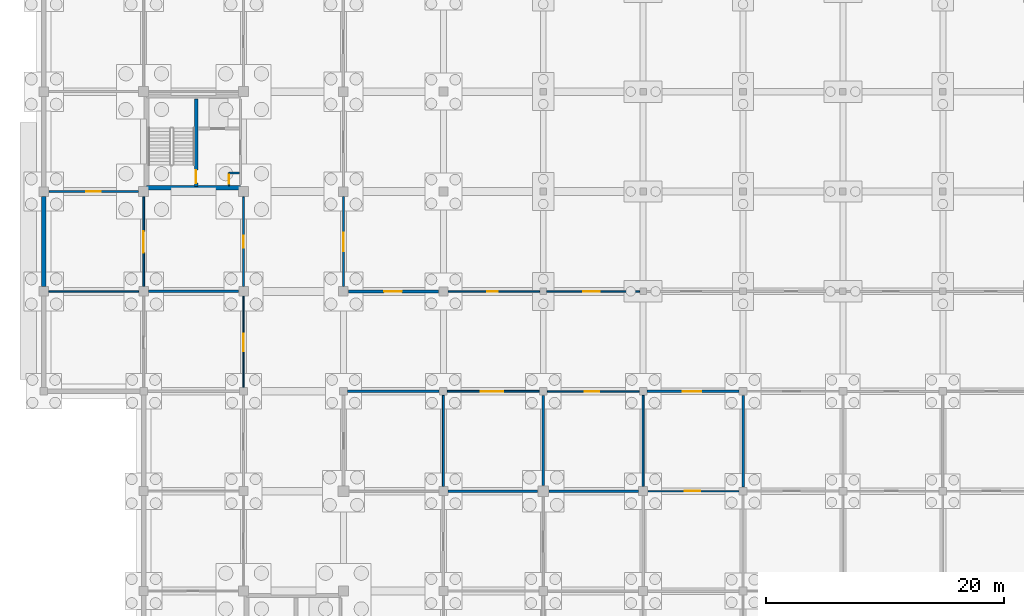
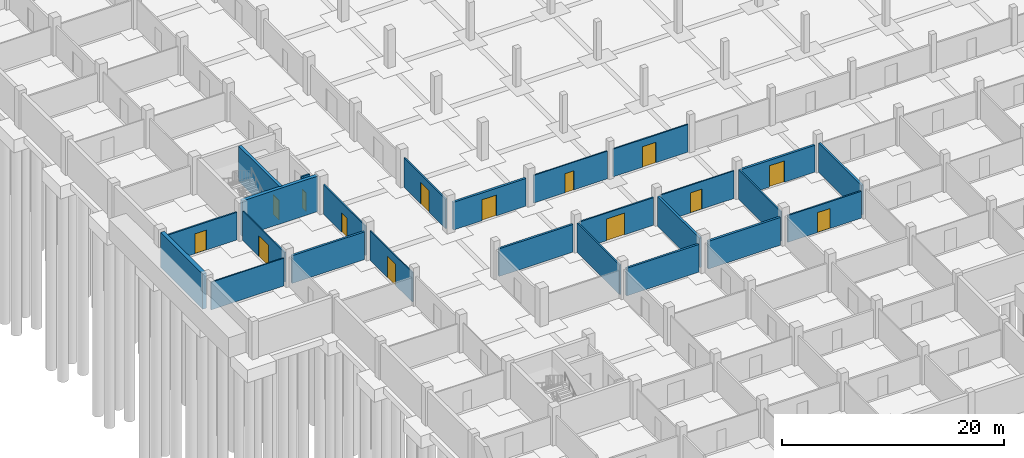
# One storey, part 21 of 43: 26 walls, 14 doors, 14 openings.
"""IFC4 building model written with IfcOpenShell, lengths in metres."""

from ifc_helpers import new_model, si_unit, direction, frame, frame_2d, origin, place, context, subcontext, project, spatial, rectangle, extrude, material, layer, layer_set, type_object, element, fill, save


model = new_model("IFC4")

# Units and contexts
model_context = context("Model", 3, precision=1e-05, world=origin(), true_north=direction((0.0, 1.0)))
body_context = subcontext(model_context, "Body", "Model", "MODEL_VIEW")
ifc_project = project(units=[si_unit("LENGTHUNIT", "METRE"), si_unit("AREAUNIT", "SQUARE_METRE"), si_unit("VOLUMEUNIT", "CUBIC_METRE"), si_unit("PLANEANGLEUNIT", "RADIAN"), si_unit("MASSUNIT", "GRAM", prefix="KILO")], contexts=[model_context])

# Site, building, storey
site_placement = place(None, origin())
site = spatial("IfcSite", under=ifc_project, at=site_placement, CompositionType="ELEMENT")
building_placement = place(site_placement, origin())
building = spatial("IfcBuilding", under=site, at=building_placement, Name="Varnapada Polytechnic", CompositionType="ELEMENT")
storey_placement = place(building_placement, frame((0.0, 0.0, -4.199951171875)))
storey = spatial("IfcBuildingStorey", under=building, at=storey_placement, Name="B1", CompositionType="ELEMENT", Elevation=-4.199951171875)

# Wall, opening, door
ifc_material_1 = material(Name="Autoclaved Aerated Concrete Block AAC-600", Category="concrete")
ifc_layer_1 = layer(ifc_material_1, 0.14990234375)
ifc_layer_set_1 = layer_set([ifc_layer_1], Name="Autoclaved Aerated Concrete Block AAC-600")
wall_type_1 = type_object("IfcWallType", Name="Interior Wall IW-02", PredefinedType="PARTITIONING", material=ifc_layer_set_1)
wall_1_placement = place(storey_placement, frame((15.580078125, 60.360107421875, 0.0), z_axis=(0.0, 0.0, 1.0), x_axis=(0.0, -1.0, 0.0)))
wall_1 = element("IfcWall", 1, at=wall_1_placement, inside=storey, type_object=wall_type_1, Name="B1 C2 riser shaft west wall", PredefinedType="PARTITIONING", context=body_context, shape_type="SweptSolid", body=[
    extrude(rectangle(XDim=1.06005859375, YDim=0.14990234375, at=frame_2d((0.530029296875, 0.0))), origin(), (0.0, 0.0, 1.0), 3.320068359375),
])
opening_1_placement = place(wall_1_placement, frame((0.159912109375, 0.0, 0.0)))
opening_1 = element("IfcOpeningElement", 2, at=opening_1_placement, cuts=wall_1, Name="Opening TD-01", PredefinedType="OPENING", context=body_context, shape_type="SweptSolid", body=[
    extrude(rectangle(XDim=0.75, YDim=2.050048828125, at=frame_2d((0.375, 1.02490234375))), frame((0.0, 0.0849609375, 0.0), z_axis=(0.0, -1.0, 0.0), x_axis=(1.0, 0.0, 0.0)), (0.0, 0.0, 1.0), 0.169921875),
])
ifc_material_2 = material(Name="Galvanized Steel Z275", Category="steel")
door_type_1 = type_object("IfcDoorType", Name="Interior Door TD-01", OperationType="NOTDEFINED", PredefinedType="TRAPDOOR", material=ifc_material_2)
door_1_placement = place(opening_1_placement, origin())
door_1 = element("IfcDoor", 3, at=door_1_placement, inside=storey, type_object=door_type_1, Name="B1 C2 riser access door TD-01", OperationType="SINGLE_SWING_LEFT", OverallHeight=2.050048828125, OverallWidth=0.75, PredefinedType="TRAPDOOR", context=body_context, shape_type="SweptSolid", body=[
    extrude(rectangle(XDim=0.75, YDim=2.050048828125, at=frame_2d((0.375, 1.02490234375))), frame((0.0, 0.02490234375, 0.0), z_axis=(0.0, -1.0, 0.0), x_axis=(1.0, 0.0, 0.0)), (0.0, 0.0, 1.0), 0.050048828125),
])
fill(opening_1, door_1)

# Wall
wall_2_placement = place(storey_placement, frame((15.580078125, 60.360107421875, 0.0), z_axis=(0.0, 0.0, 1.0), x_axis=(1.0, 0.0, 0.0)))
element("IfcWall", 4, at=wall_2_placement, inside=storey, type_object=wall_type_1, Name="B1 C2 riser shaft north wall", PredefinedType="PARTITIONING", context=body_context, shape_type="SweptSolid", body=[
    extrude(rectangle(XDim=0.85986328125, YDim=0.14990234375, at=frame_2d((0.429931640625, 0.0))), origin(), (0.0, 0.0, 1.0), 3.320068359375),
])

# Wall, opening, door
wall_3_placement = place(storey_placement, frame((33.945068359375, 42.0, 0.0), z_axis=(0.0, 0.0, 1.0), x_axis=(1.0, 0.0, 0.0)))
wall_3 = element("IfcWall", 5, at=wall_3_placement, inside=storey, type_object=wall_type_1, Name="B1 interior partition IW-B1-04-04-H", PredefinedType="PARTITIONING", context=body_context, shape_type="SweptSolid", body=[
    extrude(rectangle(XDim=7.7099609375, YDim=0.14990234375, at=frame_2d((3.85498046875, 0.0))), origin(), (0.0, 0.0, 1.0), 3.050048828125),
])
opening_2_placement = place(wall_3_placement, frame((2.800048828125, 0.0, 0.0)))
opening_2 = element("IfcOpeningElement", 6, at=opening_2_placement, cuts=wall_3, Name="Opening D-658", PredefinedType="OPENING", context=body_context, shape_type="SweptSolid", body=[
    extrude(rectangle(XDim=1.89990234375, YDim=2.39990234375, at=frame_2d((0.949951171875, 1.199951171875))), frame((0.0, 0.0849609375, 0.0), z_axis=(0.0, -1.0, 0.0), x_axis=(1.0, 0.0, 0.0)), (0.0, 0.0, 1.0), 0.169921875),
])
ifc_material_3 = material(Name="Heavy Workshop Double Steel Door", Category="steel")
door_type_2 = type_object("IfcDoorType", Name="Interior Door ID-14", OperationType="NOTDEFINED", PredefinedType="DOOR", material=ifc_material_3)
door_2_placement = place(opening_2_placement, origin())
door_2 = element("IfcDoor", 7, at=door_2_placement, inside=storey, type_object=door_type_2, Name="B1 interior room door D-658", OperationType="SINGLE_SWING_LEFT", OverallHeight=2.39990234375, OverallWidth=1.89990234375, PredefinedType="DOOR", context=body_context, shape_type="SweptSolid", body=[
    extrude(rectangle(XDim=1.89990234375, YDim=2.39990234375, at=frame_2d((0.949951171875, 1.199951171875))), frame((0.0, 0.02490234375, 0.0), z_axis=(0.0, -1.0, 0.0), x_axis=(1.0, 0.0, 0.0)), (0.0, 0.0, 1.0), 0.050048828125),
])
fill(opening_2, door_2)

# Walls
wall_4_placement = place(storey_placement, frame((50.39990234375, 33.9951171875, 0.0), z_axis=(0.0, 0.0, 1.0), x_axis=(0.0, 1.0, 0.0)))
element("IfcWall", 8, at=wall_4_placement, inside=storey, type_object=wall_type_1, Name="B1 interior partition IW-B1-05-04-V", PredefinedType="PARTITIONING", context=body_context, shape_type="SweptSolid", body=[
    extrude(rectangle(XDim=7.659912109375, YDim=0.14990234375, at=frame_2d((3.830078125, 0.0))), origin(), (0.0, 0.0, 1.0), 3.25),
])
ifc_material_4 = material(Name="Gypsum Plasterboard Acoustic Partition")
ifc_layer_2 = layer(ifc_material_4, 0.125)
ifc_layer_set_2 = layer_set([ifc_layer_2], Name="Gypsum Plasterboard Acoustic Partition")
wall_type_2 = type_object("IfcWallType", Name="Interior Wall IW-03", PredefinedType="PARTITIONING", material=ifc_layer_set_2)
wall_5_placement = place(storey_placement, frame((0.419921875, 50.39990234375, 0.0), z_axis=(0.0, 0.0, 1.0), x_axis=(1.0, 0.0, 0.0)))
element("IfcWall", 9, at=wall_5_placement, inside=storey, type_object=wall_type_2, Name="B1 interior partition IW-B1-00-05-H", PredefinedType="PARTITIONING", context=body_context, shape_type="SweptSolid", body=[
    extrude(rectangle(XDim=7.56005859375, YDim=0.125, at=frame_2d((3.780029296875, 0.0))), origin(), (0.0, 0.0, 1.0), 3.050048828125),
])

# Wall, opening, door
wall_6_placement = place(storey_placement, frame((33.9951171875, 50.39990234375, 0.0), z_axis=(0.0, 0.0, 1.0), x_axis=(1.0, 0.0, 0.0)))
wall_6 = element("IfcWall", 10, at=wall_6_placement, inside=storey, type_object=wall_type_2, Name="B1 interior partition IW-B1-04-05-H", PredefinedType="PARTITIONING", context=body_context, shape_type="SweptSolid", body=[
    extrude(rectangle(XDim=7.7099609375, YDim=0.125, at=frame_2d((3.85498046875, 0.0))), origin(), (0.0, 0.0, 1.0), 3.050048828125),
])
opening_3_placement = place(wall_6_placement, frame((3.300048828125, 0.0, 0.0)))
opening_3 = element("IfcOpeningElement", 11, at=opening_3_placement, cuts=wall_6, Name="Opening D-659", PredefinedType="OPENING", context=body_context, shape_type="SweptSolid", body=[
    extrude(rectangle(XDim=0.89990234375, YDim=2.10009765625, at=frame_2d((0.449951171875, 1.050048828125))), frame((0.0, 0.072509765625, 0.0), z_axis=(0.0, -1.0, 0.0), x_axis=(1.0, 0.0, 0.0)), (0.0, 0.0, 1.0), 0.14501953125),
])
ifc_material_5 = material(Name="Moisture-Resistant HPL Timber", Category="wood")
door_type_3 = type_object("IfcDoorType", Name="Interior Door ID-15", OperationType="NOTDEFINED", PredefinedType="DOOR", material=ifc_material_5)
door_3_placement = place(opening_3_placement, frame((0.89990234375, 0.0, 0.0), z_axis=(0.0, 0.0, 1.0), x_axis=(-1.0, 0.0, 0.0)))
door_3 = element("IfcDoor", 12, at=door_3_placement, inside=storey, type_object=door_type_3, Name="B1 interior room door D-659", OperationType="SINGLE_SWING_RIGHT", OverallHeight=2.10009765625, OverallWidth=0.89990234375, PredefinedType="DOOR", context=body_context, shape_type="SweptSolid", body=[
    extrude(rectangle(XDim=0.89990234375, YDim=2.10009765625, at=frame_2d((0.449951171875, 1.050048828125))), frame((0.0, 0.02490234375, 0.0), z_axis=(0.0, -1.0, 0.0), x_axis=(1.0, 0.0, 0.0)), (0.0, 0.0, 1.0), 0.050048828125),
])
fill(opening_3, door_3)

wall_7_placement = place(storey_placement, frame((42.344970703125, 42.0, 0.0), z_axis=(0.0, 0.0, 1.0), x_axis=(1.0, 0.0, 0.0)))
wall_7 = element("IfcWall", 13, at=wall_7_placement, inside=storey, type_object=wall_type_2, Name="B1 interior partition IW-B1-05-04-H", PredefinedType="PARTITIONING", context=body_context, shape_type="SweptSolid", body=[
    extrude(rectangle(XDim=7.7099609375, YDim=0.125, at=frame_2d((3.85498046875, 0.0))), origin(), (0.0, 0.0, 1.0), 3.050048828125),
])
opening_4_placement = place(wall_7_placement, frame((3.14990234375, 0.0, 0.0)))
opening_4 = element("IfcOpeningElement", 14, at=opening_4_placement, cuts=wall_7, Name="Opening D-666", PredefinedType="OPENING", context=body_context, shape_type="SweptSolid", body=[
    extrude(rectangle(XDim=1.199951171875, YDim=2.199951171875, at=frame_2d((0.60009765625, 1.10009765625))), frame((0.0, 0.072509765625, 0.0), z_axis=(0.0, -1.0, 0.0), x_axis=(1.0, 0.0, 0.0)), (0.0, 0.0, 1.0), 0.14501953125),
])
ifc_material_6 = material(Name="Solid Teak Hardwood Timber", Category="wood")
door_type_4 = type_object("IfcDoorType", Name="Interior Door ID-05", OperationType="NOTDEFINED", PredefinedType="DOOR", material=ifc_material_6)
door_4_placement = place(opening_4_placement, origin())
door_4 = element("IfcDoor", 15, at=door_4_placement, inside=storey, type_object=door_type_4, Name="B1 interior room door D-666", OperationType="SINGLE_SWING_LEFT", OverallHeight=2.199951171875, OverallWidth=1.199951171875, PredefinedType="DOOR", context=body_context, shape_type="SweptSolid", body=[
    extrude(rectangle(XDim=1.199951171875, YDim=2.199951171875, at=frame_2d((0.60009765625, 1.10009765625))), frame((0.0, 0.02490234375, 0.0), z_axis=(0.0, -1.0, 0.0), x_axis=(1.0, 0.0, 0.0)), (0.0, 0.0, 1.0), 0.050048828125),
])
fill(opening_4, door_4)

ifc_material_7 = material(Name="Moisture-Resistant Cement Board Partition")
ifc_layer_3 = layer(ifc_material_7, 0.139892578125)
ifc_layer_set_3 = layer_set([ifc_layer_3], Name="Moisture-Resistant Cement Board Partition")
wall_type_3 = type_object("IfcWallType", Name="Interior Wall IW-04", PredefinedType="PARTITIONING", material=ifc_layer_set_3)
wall_8_placement = place(storey_placement, frame((8.39990234375, 50.820068359375, 0.0), z_axis=(0.0, 0.0, 1.0), x_axis=(0.0, 1.0, 0.0)))
wall_8 = element("IfcWall", 16, at=wall_8_placement, inside=storey, type_object=wall_type_3, Name="B1 interior partition IW-B1-00-06-V", PredefinedType="PARTITIONING", context=body_context, shape_type="SweptSolid", body=[
    extrude(rectangle(XDim=7.534912109375, YDim=0.139892578125, at=frame_2d((3.767578125, 0.0))), origin(), (0.0, 0.0, 1.0), 3.25),
])
opening_5_placement = place(wall_8_placement, frame((2.85009765625, 0.0, 0.0)))
opening_5 = element("IfcOpeningElement", 17, at=opening_5_placement, cuts=wall_8, Name="Opening D-614", PredefinedType="OPENING", context=body_context, shape_type="SweptSolid", body=[
    extrude(rectangle(XDim=1.800048828125, YDim=2.300048828125, at=frame_2d((0.89990234375, 1.14990234375))), frame((0.0, 0.079833984375, 0.0), z_axis=(0.0, -1.0, 0.0), x_axis=(1.0, 0.0, 0.0)), (0.0, 0.0, 1.0), 0.159912109375),
])
ifc_material_8 = material(Name="Acoustic Double Timber Leaf", Category="wood")
door_type_5 = type_object("IfcDoorType", Name="Interior Door ID-04", OperationType="NOTDEFINED", PredefinedType="DOOR", material=ifc_material_8)
door_5_placement = place(opening_5_placement, frame((1.800048828125, 0.0, 0.0), z_axis=(0.0, 0.0, 1.0), x_axis=(-1.0, 0.0, 0.0)))
door_5 = element("IfcDoor", 18, at=door_5_placement, inside=storey, type_object=door_type_5, Name="B1 interior room door D-614", OperationType="SINGLE_SWING_LEFT", OverallHeight=2.300048828125, OverallWidth=1.800048828125, PredefinedType="DOOR", context=body_context, shape_type="SweptSolid", body=[
    extrude(rectangle(XDim=1.800048828125, YDim=2.300048828125, at=frame_2d((0.89990234375, 1.14990234375))), frame((0.0, 0.02490234375, 0.0), z_axis=(0.0, -1.0, 0.0), x_axis=(1.0, 0.0, 0.0)), (0.0, 0.0, 1.0), 0.050048828125),
])
fill(opening_5, door_5)

wall_9_placement = place(storey_placement, frame((42.294921875, 50.39990234375, 0.0), z_axis=(0.0, 0.0, 1.0), x_axis=(1.0, 0.0, 0.0)))
wall_9 = element("IfcWall", 19, at=wall_9_placement, inside=storey, type_object=wall_type_3, Name="B1 interior partition IW-B1-05-05-H", PredefinedType="PARTITIONING", context=body_context, shape_type="SweptSolid", body=[
    extrude(rectangle(XDim=7.81005859375, YDim=0.139892578125, at=frame_2d((3.905029296875, 0.0))), origin(), (0.0, 0.0, 1.0), 3.050048828125),
])
opening_6_placement = place(wall_9_placement, frame((3.050048828125, 0.0, 0.0)))
opening_6 = element("IfcOpeningElement", 20, at=opening_6_placement, cuts=wall_9, Name="Opening D-667", PredefinedType="OPENING", context=body_context, shape_type="SweptSolid", body=[
    extrude(rectangle(XDim=1.39990234375, YDim=2.25, at=frame_2d((0.699951171875, 1.125))), frame((0.0, 0.079833984375, 0.0), z_axis=(0.0, -1.0, 0.0), x_axis=(1.0, 0.0, 0.0)), (0.0, 0.0, 1.0), 0.159912109375),
])
ifc_material_9 = material(Name="Powder-Coated Aluminium 6063-T6", Category="aluminium")
door_type_6 = type_object("IfcDoorType", Name="Interior Door ID-06", OperationType="NOTDEFINED", PredefinedType="DOOR", material=ifc_material_9)
door_6_placement = place(opening_6_placement, origin())
door_6 = element("IfcDoor", 21, at=door_6_placement, inside=storey, type_object=door_type_6, Name="B1 interior room door D-667", OperationType="SINGLE_SWING_RIGHT", OverallHeight=2.25, OverallWidth=1.39990234375, PredefinedType="DOOR", context=body_context, shape_type="SweptSolid", body=[
    extrude(rectangle(XDim=1.39990234375, YDim=2.25, at=frame_2d((0.699951171875, 1.125))), frame((0.0, 0.02490234375, 0.0), z_axis=(0.0, -1.0, 0.0), x_axis=(1.0, 0.0, 0.0)), (0.0, 0.0, 1.0), 0.050048828125),
])
fill(opening_6, door_6)

ifc_material_10 = material(Name="Cross-laminated timber CLT C24", Category="wood")
ifc_layer_4 = layer(ifc_material_10, 0.159912109375)
ifc_layer_set_4 = layer_set([ifc_layer_4], Name="Cross-laminated timber CLT C24")
wall_type_4 = type_object("IfcWallType", Name="Interior Wall IW-05", PredefinedType="PARTITIONING", material=ifc_layer_set_4)
wall_10_placement = place(storey_placement, frame((0.419921875, 58.800048828125, 0.0), z_axis=(0.0, 0.0, 1.0), x_axis=(1.0, 0.0, 0.0)))
wall_10 = element("IfcWall", 22, at=wall_10_placement, inside=storey, type_object=wall_type_4, Name="B1 interior partition IW-B1-00-06-H", PredefinedType="PARTITIONING", context=body_context, shape_type="SweptSolid", body=[
    extrude(rectangle(XDim=7.53515625, YDim=0.159912109375, at=frame_2d((3.767578125, 0.0))), origin(), (0.0, 0.0, 1.0), 3.050048828125),
])
opening_7_placement = place(wall_10_placement, frame((3.14990234375, 0.0, 0.0)))
opening_7 = element("IfcOpeningElement", 23, at=opening_7_placement, cuts=wall_10, Name="Opening D-615", PredefinedType="OPENING", context=body_context, shape_type="SweptSolid", body=[
    extrude(rectangle(XDim=1.199951171875, YDim=2.199951171875, at=frame_2d((0.60009765625, 1.10009765625))), frame((0.0, 0.08984375, 0.0), z_axis=(0.0, -1.0, 0.0), x_axis=(1.0, 0.0, 0.0)), (0.0, 0.0, 1.0), 0.179931640625),
])
door_7_placement = place(opening_7_placement, origin())
door_7 = element("IfcDoor", 24, at=door_7_placement, inside=storey, type_object=door_type_4, Name="B1 interior room door D-615", OperationType="SINGLE_SWING_RIGHT", OverallHeight=2.199951171875, OverallWidth=1.199951171875, PredefinedType="DOOR", context=body_context, shape_type="SweptSolid", body=[
    extrude(rectangle(XDim=1.199951171875, YDim=2.199951171875, at=frame_2d((0.60009765625, 1.10009765625))), frame((0.0, 0.02490234375, 0.0), z_axis=(0.0, -1.0, 0.0), x_axis=(1.0, 0.0, 0.0)), (0.0, 0.0, 1.0), 0.050048828125),
])
fill(opening_7, door_7)

ifc_material_11 = material(Name="Timber-Stud Studio Critique Partition", Category="wood")
ifc_layer_5 = layer(ifc_material_11, 0.114990234375)
ifc_layer_set_5 = layer_set([ifc_layer_5], Name="Timber-Stud Studio Critique Partition")
wall_type_5 = type_object("IfcWallType", Name="Interior Wall IW-12", PredefinedType="PARTITIONING", material=ifc_layer_set_5)
wall_11_placement = place(storey_placement, frame((16.800048828125, 42.344970703125, 0.0), z_axis=(0.0, 0.0, 1.0), x_axis=(0.0, 1.0, 0.0)))
wall_11 = element("IfcWall", 25, at=wall_11_placement, inside=storey, type_object=wall_type_5, Name="B1 interior partition IW-B1-01-05-V", PredefinedType="PARTITIONING", context=body_context, shape_type="SweptSolid", body=[
    extrude(rectangle(XDim=7.635009765625, YDim=0.114990234375, at=frame_2d((3.8173828125, 0.0))), origin(), (0.0, 0.0, 1.0), 3.25),
])
opening_8_placement = place(wall_11_placement, frame((3.02490234375, 0.0, 0.0)))
opening_8 = element("IfcOpeningElement", 26, at=opening_8_placement, cuts=wall_11, Name="Opening D-628", PredefinedType="OPENING", context=body_context, shape_type="SweptSolid", body=[
    extrude(rectangle(XDim=1.449951171875, YDim=2.35009765625, at=frame_2d((0.72509765625, 1.175048828125))), frame((0.0, 0.0673828125, 0.0), z_axis=(0.0, -1.0, 0.0), x_axis=(1.0, 0.0, 0.0)), (0.0, 0.0, 1.0), 0.135009765625),
])
door_type_7 = type_object("IfcDoorType", Name="Interior Door ID-18", OperationType="NOTDEFINED", PredefinedType="DOOR", material=ifc_material_2)
door_8_placement = place(opening_8_placement, origin())
door_8 = element("IfcDoor", 27, at=door_8_placement, inside=storey, type_object=door_type_7, Name="B1 interior room door D-628", OperationType="SINGLE_SWING_LEFT", OverallHeight=2.35009765625, OverallWidth=1.449951171875, PredefinedType="DOOR", context=body_context, shape_type="SweptSolid", body=[
    extrude(rectangle(XDim=1.449951171875, YDim=2.35009765625, at=frame_2d((0.72509765625, 1.175048828125))), frame((0.0, 0.02490234375, 0.0), z_axis=(0.0, -1.0, 0.0), x_axis=(1.0, 0.0, 0.0)), (0.0, 0.0, 1.0), 0.050048828125),
])
fill(opening_8, door_8)

# Wall
ifc_material_12 = material(Name="Heavy Acoustic Auditorium Baffle Wall")
ifc_layer_6 = layer(ifc_material_12, 0.219970703125)
ifc_layer_set_6 = layer_set([ifc_layer_6], Name="Heavy Acoustic Auditorium Baffle Wall")
wall_type_6 = type_object("IfcWallType", Name="Interior Wall IW-13", PredefinedType="PARTITIONING", material=ifc_layer_set_6)
wall_12_placement = place(storey_placement, frame((8.820068359375, 50.39990234375, 0.0), z_axis=(0.0, 0.0, 1.0), x_axis=(1.0, 0.0, 0.0)))
element("IfcWall", 28, at=wall_12_placement, inside=storey, type_object=wall_type_6, Name="B1 interior partition IW-B1-01-05-H", PredefinedType="PARTITIONING", context=body_context, shape_type="SweptSolid", body=[
    extrude(rectangle(XDim=7.559814453125, YDim=0.219970703125, at=frame_2d((3.77978515625, 0.0))), origin(), (0.0, 0.0, 1.0), 3.050048828125),
])

# Wall, opening, door
ifc_material_13 = material(Name="Ceramic-Tiled Wet Laboratory Wall")
ifc_layer_7 = layer(ifc_material_13, 0.14501953125)
ifc_layer_set_7 = layer_set([ifc_layer_7], Name="Ceramic-Tiled Wet Laboratory Wall")
wall_type_7 = type_object("IfcWallType", Name="Interior Wall IW-14", PredefinedType="PARTITIONING", material=ifc_layer_set_7)
wall_13_placement = place(storey_placement, frame((16.800048828125, 50.820068359375, 0.0), z_axis=(0.0, 0.0, 1.0), x_axis=(0.0, 1.0, 0.0)))
wall_13 = element("IfcWall", 29, at=wall_13_placement, inside=storey, type_object=wall_type_7, Name="B1 interior partition IW-B1-01-06-V", PredefinedType="PARTITIONING", context=body_context, shape_type="SweptSolid", body=[
    extrude(rectangle(XDim=7.534912109375, YDim=0.14501953125, at=frame_2d((3.767578125, 0.0))), origin(), (0.0, 0.0, 1.0), 3.25),
])
opening_9_placement = place(wall_13_placement, frame((3.25, 0.0, 0.0)))
opening_9 = element("IfcOpeningElement", 30, at=opening_9_placement, cuts=wall_13, Name="Opening D-629", PredefinedType="OPENING", context=body_context, shape_type="SweptSolid", body=[
    extrude(rectangle(XDim=1.0, YDim=2.14990234375, at=frame_2d((0.5, 1.074951171875))), frame((0.0, 0.08251953125, 0.0), z_axis=(0.0, -1.0, 0.0), x_axis=(1.0, 0.0, 0.0)), (0.0, 0.0, 1.0), 0.1650390625),
])
door_type_8 = type_object("IfcDoorType", Name="Interior Door ID-02", OperationType="NOTDEFINED", PredefinedType="DOOR", material=ifc_material_6)
door_9_placement = place(opening_9_placement, frame((1.0, 0.0, 0.0), z_axis=(0.0, 0.0, 1.0), x_axis=(-1.0, 0.0, 0.0)))
door_9 = element("IfcDoor", 31, at=door_9_placement, inside=storey, type_object=door_type_8, Name="B1 interior room door D-629", OperationType="SINGLE_SWING_RIGHT", OverallHeight=2.14990234375, OverallWidth=1.0, PredefinedType="DOOR", context=body_context, shape_type="SweptSolid", body=[
    extrude(rectangle(XDim=1.0, YDim=2.14990234375, at=frame_2d((0.5, 1.074951171875))), frame((0.0, 0.02490234375, 0.0), z_axis=(0.0, -1.0, 0.0), x_axis=(1.0, 0.0, 0.0)), (0.0, 0.0, 1.0), 0.050048828125),
])
fill(opening_9, door_9)

wall_14_placement = place(storey_placement, frame((25.199951171875, 50.820068359375, 0.0), z_axis=(0.0, 0.0, 1.0), x_axis=(0.0, 1.0, 0.0)))
wall_14 = element("IfcWall", 32, at=wall_14_placement, inside=storey, type_object=wall_type_7, Name="B1 interior partition IW-B1-02-06-V", PredefinedType="PARTITIONING", context=body_context, shape_type="SweptSolid", body=[
    extrude(rectangle(XDim=7.559814453125, YDim=0.14501953125, at=frame_2d((3.77978515625, 0.0))), origin(), (0.0, 0.0, 1.0), 3.25),
])
opening_10_placement = place(wall_14_placement, frame((2.97509765625, 0.0, 0.0)))
opening_10 = element("IfcOpeningElement", 33, at=opening_10_placement, cuts=wall_14, Name="Opening D-639", PredefinedType="OPENING", context=body_context, shape_type="SweptSolid", body=[
    extrude(rectangle(XDim=1.550048828125, YDim=2.35009765625, at=frame_2d((0.77490234375, 1.175048828125))), frame((0.0, 0.08251953125, 0.0), z_axis=(0.0, -1.0, 0.0), x_axis=(1.0, 0.0, 0.0)), (0.0, 0.0, 1.0), 0.1650390625),
])
door_type_9 = type_object("IfcDoorType", Name="Interior Door ID-12", OperationType="NOTDEFINED", PredefinedType="DOOR", material=ifc_material_2)
door_10_placement = place(opening_10_placement, origin())
door_10 = element("IfcDoor", 34, at=door_10_placement, inside=storey, type_object=door_type_9, Name="B1 interior room door D-639", OperationType="SINGLE_SWING_RIGHT", OverallHeight=2.35009765625, OverallWidth=1.550048828125, PredefinedType="DOOR", context=body_context, shape_type="SweptSolid", body=[
    extrude(rectangle(XDim=1.550048828125, YDim=2.35009765625, at=frame_2d((0.77490234375, 1.175048828125))), frame((0.0, 0.02490234375, 0.0), z_axis=(0.0, -1.0, 0.0), x_axis=(1.0, 0.0, 0.0)), (0.0, 0.0, 1.0), 0.050048828125),
])
fill(opening_10, door_10)

# Wall
ifc_material_14 = material(Name="Perforated Timber-Lined Seminar Wall", Category="wood")
ifc_layer_8 = layer(ifc_material_14, 0.155029296875)
ifc_layer_set_8 = layer_set([ifc_layer_8], Name="Perforated Timber-Lined Seminar Wall")
wall_type_8 = type_object("IfcWallType", Name="Interior Wall IW-15", PredefinedType="PARTITIONING", material=ifc_layer_set_8)
wall_15_placement = place(storey_placement, frame((33.60009765625, 33.9951171875, 0.0), z_axis=(0.0, 0.0, 1.0), x_axis=(0.0, 1.0, 0.0)))
element("IfcWall", 35, at=wall_15_placement, inside=storey, type_object=wall_type_8, Name="B1 interior partition IW-B1-03-04-V", PredefinedType="PARTITIONING", context=body_context, shape_type="SweptSolid", body=[
    extrude(rectangle(XDim=7.659912109375, YDim=0.155029296875, at=frame_2d((3.830078125, 0.0))), origin(), (0.0, 0.0, 1.0), 3.25),
])

# Wall, opening, door
wall_16_placement = place(storey_placement, frame((50.794921875, 33.60009765625, 0.0), z_axis=(0.0, 0.0, 1.0), x_axis=(1.0, 0.0, 0.0)))
wall_16 = element("IfcWall", 36, at=wall_16_placement, inside=storey, type_object=wall_type_8, Name="B1 interior partition IW-B1-06-03-H", PredefinedType="PARTITIONING", context=body_context, shape_type="SweptSolid", body=[
    extrude(rectangle(XDim=7.66015625, YDim=0.155029296875, at=frame_2d((3.830078125, 0.0))), origin(), (0.0, 0.0, 1.0), 2.949951171875),
])
opening_11_placement = place(wall_16_placement, frame((3.10009765625, 0.0, 0.0)))
opening_11 = element("IfcOpeningElement", 37, at=opening_11_placement, cuts=wall_16, Name="Opening D-672", PredefinedType="OPENING", context=body_context, shape_type="SweptSolid", body=[
    extrude(rectangle(XDim=1.300048828125, YDim=2.199951171875, at=frame_2d((0.64990234375, 1.10009765625))), frame((0.0, 0.08740234375, 0.0), z_axis=(0.0, -1.0, 0.0), x_axis=(1.0, 0.0, 0.0)), (0.0, 0.0, 1.0), 0.175048828125),
])
ifc_material_15 = material(Name="Acoustic Laminated Timber Leaf", Category="wood")
door_type_10 = type_object("IfcDoorType", Name="Interior Door ID-11", OperationType="NOTDEFINED", PredefinedType="DOOR", material=ifc_material_15)
door_11_placement = place(opening_11_placement, origin())
door_11 = element("IfcDoor", 38, at=door_11_placement, inside=storey, type_object=door_type_10, Name="B1 interior room door D-672", OperationType="SINGLE_SWING_LEFT", OverallHeight=2.199951171875, OverallWidth=1.300048828125, PredefinedType="DOOR", context=body_context, shape_type="SweptSolid", body=[
    extrude(rectangle(XDim=1.300048828125, YDim=2.199951171875, at=frame_2d((0.64990234375, 1.10009765625))), frame((0.0, 0.02490234375, 0.0), z_axis=(0.0, -1.0, 0.0), x_axis=(1.0, 0.0, 0.0)), (0.0, 0.0, 1.0), 0.050048828125),
])
fill(opening_11, door_11)

# Walls
ifc_material_16 = material(Name="Heavy Masonry Workshop Partition", Category="masonry")
ifc_layer_9 = layer(ifc_material_16, 0.2099609375)
ifc_layer_set_9 = layer_set([ifc_layer_9], Name="Heavy Masonry Workshop Partition")
wall_type_9 = type_object("IfcWallType", Name="Interior Wall IW-16", PredefinedType="PARTITIONING", material=ifc_layer_set_9)
wall_17_placement = place(storey_placement, frame((25.544921875, 42.0, 0.0), z_axis=(0.0, 0.0, 1.0), x_axis=(1.0, 0.0, 0.0)))
element("IfcWall", 39, at=wall_17_placement, inside=storey, type_object=wall_type_9, Name="B1 interior partition IW-B1-03-04-H", PredefinedType="PARTITIONING", context=body_context, shape_type="SweptSolid", body=[
    extrude(rectangle(XDim=7.7099609375, YDim=0.2099609375, at=frame_2d((3.85498046875, 0.0))), origin(), (0.0, 0.0, 1.0), 3.050048828125),
])
wall_18_placement = place(storey_placement, frame((33.9951171875, 33.60009765625, 0.0), z_axis=(0.0, 0.0, 1.0), x_axis=(1.0, 0.0, 0.0)))
element("IfcWall", 40, at=wall_18_placement, inside=storey, type_object=wall_type_9, Name="B1 interior partition IW-B1-04-03-H", PredefinedType="PARTITIONING", context=body_context, shape_type="SweptSolid", body=[
    extrude(rectangle(XDim=7.534912109375, YDim=0.2099609375, at=frame_2d((3.767578125, 0.0))), origin(), (0.0, 0.0, 1.0), 3.050048828125),
])
wall_19_placement = place(storey_placement, frame((58.800048828125, 33.945068359375, 0.0), z_axis=(0.0, 0.0, 1.0), x_axis=(0.0, 1.0, 0.0)))
element("IfcWall", 41, at=wall_19_placement, inside=storey, type_object=wall_type_9, Name="B1 interior partition IW-B1-06-04-V", PredefinedType="PARTITIONING", context=body_context, shape_type="SweptSolid", body=[
    extrude(rectangle(XDim=7.7099609375, YDim=0.2099609375, at=frame_2d((3.85498046875, 0.0))), origin(), (0.0, 0.0, 1.0), 3.25),
])

# Wall, opening, door
ifc_material_17 = material(Name="Double-Leaf Acoustic Lecture Wall")
ifc_layer_10 = layer(ifc_material_17, 0.235107421875)
ifc_layer_set_10 = layer_set([ifc_layer_10], Name="Double-Leaf Acoustic Lecture Wall")
wall_type_10 = type_object("IfcWallType", Name="Interior Wall IW-17", PredefinedType="PARTITIONING", material=ifc_layer_set_10)
wall_20_placement = place(storey_placement, frame((25.6201171875, 50.39990234375, 0.0), z_axis=(0.0, 0.0, 1.0), x_axis=(1.0, 0.0, 0.0)))
wall_20 = element("IfcWall", 42, at=wall_20_placement, inside=storey, type_object=wall_type_10, Name="B1 interior partition IW-B1-03-05-H", PredefinedType="PARTITIONING", context=body_context, shape_type="SweptSolid", body=[
    extrude(rectangle(XDim=7.5849609375, YDim=0.235107421875, at=frame_2d((3.79248046875, 0.0))), origin(), (0.0, 0.0, 1.0), 3.050048828125),
])
opening_12_placement = place(wall_20_placement, frame((3.0, 0.0, 0.0)))
opening_12 = element("IfcOpeningElement", 43, at=opening_12_placement, cuts=wall_20, Name="Opening D-651", PredefinedType="OPENING", context=body_context, shape_type="SweptSolid", body=[
    extrude(rectangle(XDim=1.5, YDim=2.300048828125, at=frame_2d((0.75, 1.14990234375))), frame((0.0, 0.12744140625, 0.0), z_axis=(0.0, -1.0, 0.0), x_axis=(1.0, 0.0, 0.0)), (0.0, 0.0, 1.0), 0.255126953125),
])
door_type_11 = type_object("IfcDoorType", Name="Interior Door ID-07", OperationType="NOTDEFINED", PredefinedType="DOOR", material=ifc_material_2)
door_12_placement = place(opening_12_placement, origin())
door_12 = element("IfcDoor", 44, at=door_12_placement, inside=storey, type_object=door_type_11, Name="B1 interior room door D-651", OperationType="SINGLE_SWING_RIGHT", OverallHeight=2.300048828125, OverallWidth=1.5, PredefinedType="DOOR", context=body_context, shape_type="SweptSolid", body=[
    extrude(rectangle(XDim=1.5, YDim=2.300048828125, at=frame_2d((0.75, 1.14990234375))), frame((0.0, 0.02490234375, 0.0), z_axis=(0.0, -1.0, 0.0), x_axis=(1.0, 0.0, 0.0)), (0.0, 0.0, 1.0), 0.050048828125),
])
fill(opening_12, door_12)

# Walls
wall_21_placement = place(storey_placement, frame((42.0, 34.070068359375, 0.0), z_axis=(0.0, 0.0, 1.0), x_axis=(0.0, 1.0, 0.0)))
element("IfcWall", 45, at=wall_21_placement, inside=storey, type_object=wall_type_10, Name="B1 interior partition IW-B1-04-04-V", PredefinedType="PARTITIONING", context=body_context, shape_type="SweptSolid", body=[
    extrude(rectangle(XDim=7.5849609375, YDim=0.235107421875, at=frame_2d((3.79248046875, 0.0))), origin(), (0.0, 0.0, 1.0), 3.25),
])
wall_22_placement = place(storey_placement, frame((42.469970703125, 33.60009765625, 0.0), z_axis=(0.0, 0.0, 1.0), x_axis=(1.0, 0.0, 0.0)))
element("IfcWall", 46, at=wall_22_placement, inside=storey, type_object=wall_type_10, Name="B1 interior partition IW-B1-05-03-H", PredefinedType="PARTITIONING", context=body_context, shape_type="SweptSolid", body=[
    extrude(rectangle(XDim=7.534912109375, YDim=0.235107421875, at=frame_2d((3.767578125, 0.0))), origin(), (0.0, 0.0, 1.0), 3.050048828125),
])

# Wall, opening, door
wall_23_placement = place(storey_placement, frame((50.7451171875, 42.0, 0.0), z_axis=(0.0, 0.0, 1.0), x_axis=(1.0, 0.0, 0.0)))
wall_23 = element("IfcWall", 47, at=wall_23_placement, inside=storey, type_object=wall_type_10, Name="B1 interior partition IW-B1-06-04-H", PredefinedType="PARTITIONING", context=body_context, shape_type="SweptSolid", body=[
    extrude(rectangle(XDim=7.7099609375, YDim=0.235107421875, at=frame_2d((3.85498046875, 0.0))), origin(), (0.0, 0.0, 1.0), 2.949951171875),
])
opening_13_placement = place(wall_23_placement, frame((2.97509765625, 0.0, 0.0)))
opening_13 = element("IfcOpeningElement", 48, at=opening_13_placement, cuts=wall_23, Name="Opening D-673", PredefinedType="OPENING", context=body_context, shape_type="SweptSolid", body=[
    extrude(rectangle(XDim=1.550048828125, YDim=2.35009765625, at=frame_2d((0.77490234375, 1.175048828125))), frame((0.0, 0.12744140625, 0.0), z_axis=(0.0, -1.0, 0.0), x_axis=(1.0, 0.0, 0.0)), (0.0, 0.0, 1.0), 0.255126953125),
])
door_13_placement = place(opening_13_placement, origin())
door_13 = element("IfcDoor", 49, at=door_13_placement, inside=storey, type_object=door_type_9, Name="B1 interior room door D-673", OperationType="SINGLE_SWING_RIGHT", OverallHeight=2.35009765625, OverallWidth=1.550048828125, PredefinedType="DOOR", context=body_context, shape_type="SweptSolid", body=[
    extrude(rectangle(XDim=1.550048828125, YDim=2.35009765625, at=frame_2d((0.77490234375, 1.175048828125))), frame((0.0, 0.02490234375, 0.0), z_axis=(0.0, -1.0, 0.0), x_axis=(1.0, 0.0, 0.0)), (0.0, 0.0, 1.0), 0.050048828125),
])
fill(opening_13, door_13)

# Wall
ifc_material_18 = material(Name="Concrete C40/50", Category="concrete")
ifc_layer_11 = layer(ifc_material_18, 0.35009765625)
ifc_layer_set_11 = layer_set([ifc_layer_11], Name="Concrete C40/50")
wall_type_11 = type_object("IfcWallType", Name="Interior Wall SW-01", PredefinedType="SHEAR", material=ifc_layer_set_11)
wall_24_placement = place(storey_placement, frame((16.5400390625, 59.1201171875, 0.0), z_axis=(0.0, 0.0, 1.0), x_axis=(-1.0, 0.0, 0.0)))
element("IfcWall", 50, at=wall_24_placement, inside=storey, type_object=wall_type_11, Name="B1 C2 core south shear wall", PredefinedType="SHEAR", context=body_context, shape_type="SweptSolid", body=[
    extrude(rectangle(XDim=7.900146484375, YDim=0.35009765625, at=frame_2d((3.9501953125, 0.0))), origin(), (0.0, 0.0, 1.0), 3.89990234375),
])

# Wall, opening, door
ifc_layer_12 = layer(ifc_material_18, 0.300048828125)
ifc_layer_set_12 = layer_set([ifc_layer_12], Name="Concrete C40/50")
wall_type_12 = type_object("IfcWallType", Name="Interior Wall SW-02", PredefinedType="SHEAR", material=ifc_layer_set_12)
wall_25_placement = place(storey_placement, frame((12.81005859375, 59.219970703125, 0.0), z_axis=(0.0, 0.0, 1.0), x_axis=(0.0, 1.0, 0.0)))
wall_25 = element("IfcWall", 51, at=wall_25_placement, inside=storey, type_object=wall_type_12, Name="B1 C2 stair-lobby dividing shear wall", PredefinedType="SHEAR", context=body_context, shape_type="SweptSolid", body=[
    extrude(rectangle(XDim=7.380126953125, YDim=0.300048828125, at=frame_2d((3.68994140625, 0.0))), origin(), (0.0, 0.0, 1.0), 3.89990234375),
])
opening_14_placement = place(wall_25_placement, frame((0.280029296875, 0.0, 0.0)))
opening_14 = element("IfcOpeningElement", 52, at=opening_14_placement, cuts=wall_25, Name="Opening D-602", PredefinedType="OPENING", context=body_context, shape_type="SweptSolid", body=[
    extrude(rectangle(XDim=1.10009765625, YDim=2.14990234375, at=frame_2d((0.550048828125, 1.074951171875))), frame((0.0, 0.159912109375, 0.0), z_axis=(0.0, -1.0, 0.0), x_axis=(1.0, 0.0, 0.0)), (0.0, 0.0, 1.0), 0.320068359375),
])
door_type_12 = type_object("IfcDoorType", Name="Interior Door ID-01", OperationType="NOTDEFINED", PredefinedType="DOOR", material=ifc_material_2)
door_14_placement = place(opening_14_placement, origin())
door_14 = element("IfcDoor", 53, at=door_14_placement, inside=storey, type_object=door_type_12, Name="B1 C2 exit stair door D-602", OperationType="SINGLE_SWING_LEFT", OverallHeight=2.14990234375, OverallWidth=1.10009765625, PredefinedType="DOOR", context=body_context, shape_type="SweptSolid", body=[
    extrude(rectangle(XDim=1.10009765625, YDim=2.14990234375, at=frame_2d((0.550048828125, 1.074951171875))), frame((0.0, 0.02490234375, 0.0), z_axis=(0.0, -1.0, 0.0), x_axis=(1.0, 0.0, 0.0)), (0.0, 0.0, 1.0), 0.050048828125),
])
fill(opening_14, door_14)

# Wall
ifc_layer_13 = layer(ifc_material_18, 0.39990234375)
ifc_layer_set_13 = layer_set([ifc_layer_13], Name="Concrete C40/50")
wall_type_13 = type_object("IfcWallType", Name="Wall RW-01", PredefinedType="STANDARD", material=ifc_layer_set_13)
wall_26_placement = place(storey_placement, frame((0.0, 50.800048828125, 0.0), z_axis=(0.0, 0.0, 1.0), x_axis=(0.0, 1.0, 0.0)))
element("IfcWall", 54, at=wall_26_placement, inside=storey, type_object=wall_type_13, Name="B1 perimeter retaining wall 3", PredefinedType="STANDARD", context=body_context, shape_type="SweptSolid", body=[
    extrude(rectangle(XDim=7.599853515625, YDim=0.39990234375, at=frame_2d((3.7998046875, 0.0))), origin(), (0.0, 0.0, 1.0), 3.8798828125),
])

save(model, "model.ifc")
